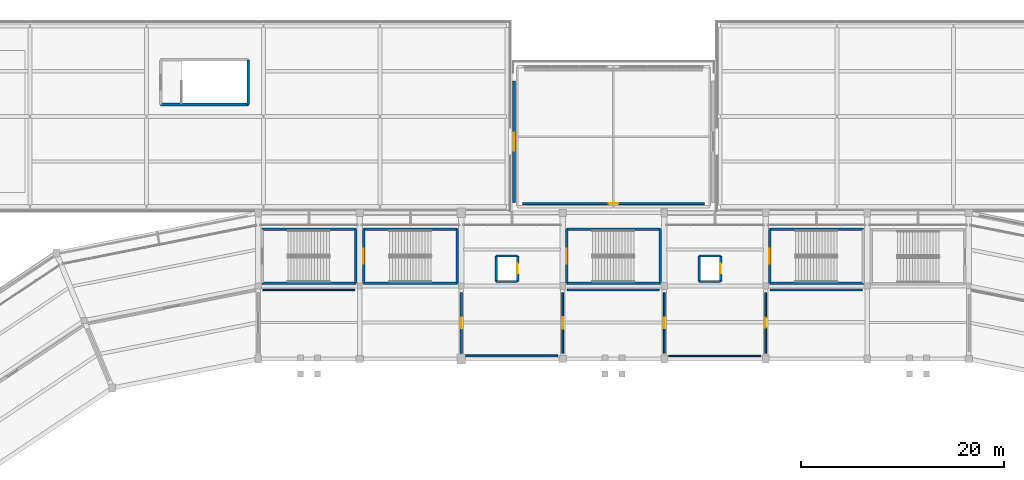
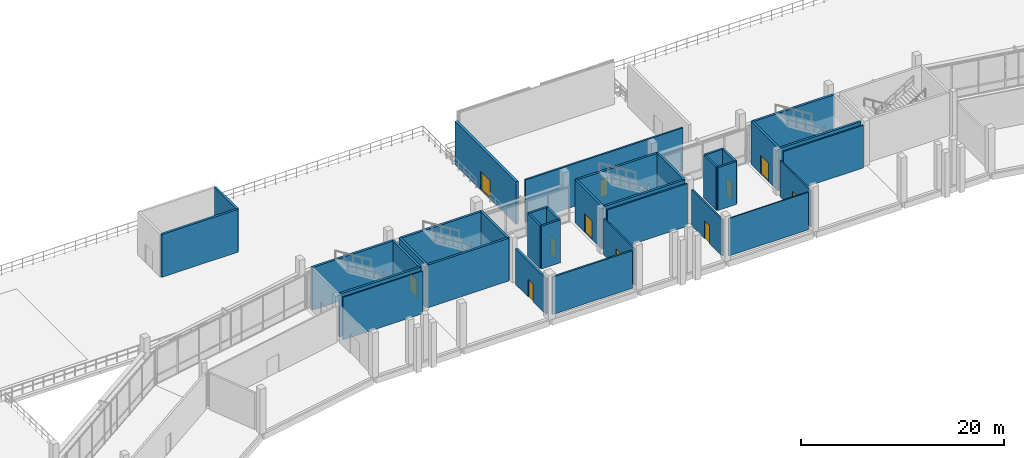
# One storey, part 79 of 111: 35 walls, 11 doors, 11 openings.
"""IFC4 building model written with IfcOpenShell, lengths in metres."""

from ifc_helpers import new_model, si_unit, direction, frame, frame_2d, origin, place, context, subcontext, project, spatial, rectangle, extrude, material, layer, layer_set, type_object, element, fill, save


model = new_model("IFC4")

# Units and contexts
model_context = context("Model", 3, precision=1e-05, world=origin(), true_north=direction((0.0, 1.0)))
body_context = subcontext(model_context, "Body", "Model", "MODEL_VIEW")
ifc_project = project(units=[si_unit("LENGTHUNIT", "METRE"), si_unit("AREAUNIT", "SQUARE_METRE"), si_unit("VOLUMEUNIT", "CUBIC_METRE"), si_unit("PLANEANGLEUNIT", "RADIAN"), si_unit("MASSUNIT", "GRAM", prefix="KILO")], contexts=[model_context])

# Site, building, storey
site_placement = place(None, origin())
site = spatial("IfcSite", under=ifc_project, at=site_placement, CompositionType="ELEMENT")
building_placement = place(site_placement, origin())
building = spatial("IfcBuilding", under=site, at=building_placement, Name="Candeia Ridge Stadium", CompositionType="ELEMENT")
storey_placement = place(building_placement, frame((0.0, 0.0, 16.199951171875)))
storey = spatial("IfcBuildingStorey", under=building, at=storey_placement, Name="L03", CompositionType="ELEMENT", Elevation=16.199951171875)

# Wall, opening, door
ifc_material_1 = material(Name="Gypsum Acoustic Twin-Stud Assembly", Category="gypsum")
ifc_layer_1 = layer(ifc_material_1, 0.159912109375, Name="Gypsum Acoustic Twin-Stud Assembly", Category="gypsum")
ifc_layer_set_1 = layer_set([ifc_layer_1], Name="Gypsum Acoustic Twin-Stud Assembly")
wall_type_1 = type_object("IfcWallType", Name="Club Dining Acoustic Partition 160", PredefinedType="PARTITIONING", material=ifc_layer_set_1)
wall_1_placement = place(storey_placement, frame((121.0, 133.14990234375, 0.0), z_axis=(0.0, 0.0, 1.0), x_axis=(0.0, 1.0, 0.0)))
wall_1 = element("IfcWall", 1, at=wall_1_placement, inside=storey, type_object=wall_type_1, Name="Interior partition PT-L03-0565", PredefinedType="PARTITIONING", context=body_context, shape_type="SweptSolid", body=[
    extrude(rectangle(XDim=6.0, YDim=0.159912109375, at=frame_2d((3.0, 0.0))), origin(), (0.0, 0.0, 1.0), 4.375),
])
opening_1_placement = place(wall_1_placement, frame((2.510009765625, 0.0, 0.0)))
opening_1 = element("IfcOpeningElement", 2, at=opening_1_placement, cuts=wall_1, Name="Opening ID12", PredefinedType="OPENING", context=body_context, shape_type="SweptSolid", body=[
    extrude(rectangle(XDim=0.97998046875, YDim=2.14990234375, at=frame_2d((0.489990234375, 1.074951171875))), frame((0.0, 0.08984375, 0.0), z_axis=(0.0, -1.0, 0.0), x_axis=(1.0, 0.0, 0.0)), (0.0, 0.0, 1.0), 0.179931640625),
])
ifc_material_2 = material(Name="Acoustic Timber Studio Leaf", Category="wood")
door_type_1 = type_object("IfcDoorType", Name="Commentary Booth Acoustic Door 980x2150", OperationType="NOTDEFINED", PredefinedType="DOOR", material=ifc_material_2)
door_1_placement = place(opening_1_placement, origin())
door_1 = element("IfcDoor", 3, at=door_1_placement, inside=storey, type_object=door_type_1, Name="Interior room door D-L03-0291", OperationType="SINGLE_SWING_LEFT", OverallHeight=2.14990234375, OverallWidth=0.97998046875, PredefinedType="DOOR", context=body_context, shape_type="SweptSolid", body=[
    extrude(rectangle(XDim=0.97998046875, YDim=2.14990234375, at=frame_2d((0.489990234375, 1.074951171875))), frame((0.0, 0.02490234375, 0.0), z_axis=(0.0, -1.0, 0.0), x_axis=(1.0, 0.0, 0.0)), (0.0, 0.0, 1.0), 0.050048828125),
])
fill(opening_1, door_1)

ifc_material_3 = material(Name="Concrete Masonry Blockwork C25/30", Category="masonry")
ifc_layer_2 = layer(ifc_material_3, 0.14990234375, Name="Concrete Masonry Blockwork C25/30", Category="masonry")
ifc_layer_set_2 = layer_set([ifc_layer_2], Name="Concrete Masonry Blockwork C25/30")
wall_type_2 = type_object("IfcWallType", Name="Concourse Kiosk Partition 150", PredefinedType="PARTITIONING", material=ifc_layer_set_2)
wall_2_placement = place(storey_placement, frame((101.0, 133.14990234375, 0.0), z_axis=(0.0, 0.0, 1.0), x_axis=(0.0, 1.0, 0.0)))
wall_2 = element("IfcWall", 4, at=wall_2_placement, inside=storey, type_object=wall_type_2, Name="Interior partition PT-L03-0569", PredefinedType="PARTITIONING", context=body_context, shape_type="SweptSolid", body=[
    extrude(rectangle(XDim=6.0, YDim=0.14990234375, at=frame_2d((3.0, 0.0))), origin(), (0.0, 0.0, 1.0), 4.385009765625),
])
opening_2_placement = place(wall_2_placement, frame((2.425048828125, 0.0, 0.0)))
opening_2 = element("IfcOpeningElement", 5, at=opening_2_placement, cuts=wall_2, Name="Opening ID02", PredefinedType="OPENING", context=body_context, shape_type="SweptSolid", body=[
    extrude(rectangle(XDim=1.14990234375, YDim=2.199951171875, at=frame_2d((0.574951171875, 1.10009765625))), frame((0.0, 0.0849609375, 0.0), z_axis=(0.0, -1.0, 0.0), x_axis=(1.0, 0.0, 0.0)), (0.0, 0.0, 1.0), 0.169921875),
])
door_type_2 = type_object("IfcDoorType", Name="Broadcast & Press Studio Door 1150x2200", OperationType="NOTDEFINED", PredefinedType="DOOR", material=ifc_material_2)
door_2_placement = place(opening_2_placement, frame((1.14990234375, 0.0, 0.0), z_axis=(0.0, 0.0, 1.0), x_axis=(-1.0, 0.0, 0.0)))
door_2 = element("IfcDoor", 6, at=door_2_placement, inside=storey, type_object=door_type_2, Name="Interior room door D-L03-0293", OperationType="SINGLE_SWING_LEFT", OverallHeight=2.199951171875, OverallWidth=1.14990234375, PredefinedType="DOOR", context=body_context, shape_type="SweptSolid", body=[
    extrude(rectangle(XDim=1.14990234375, YDim=2.199951171875, at=frame_2d((0.574951171875, 1.10009765625))), frame((0.0, 0.02490234375, 0.0), z_axis=(0.0, -1.0, 0.0), x_axis=(1.0, 0.0, 0.0)), (0.0, 0.0, 1.0), 0.050048828125),
])
fill(opening_2, door_2)

# Walls
ifc_material_4 = material(Name="Concrete C40/50", Category="concrete")
ifc_layer_3 = layer(ifc_material_4, 0.25, Name="Concrete C40/50", Category="concrete")
ifc_layer_set_3 = layer_set([ifc_layer_3], Name="Concrete C40/50")
wall_type_3 = type_object("IfcWallType", Name="Core Shear Wall Concrete 250", PredefinedType="SHEAR", material=ifc_layer_set_3)
wall_3_placement = place(storey_placement, frame((71.37548828125, 140.075439453125, 0.0), z_axis=(0.0, 0.0, 1.0), x_axis=(1.0, 0.0, 0.0)))
element("IfcWall", 7, at=wall_3_placement, inside=storey, type_object=wall_type_3, Name="Core C01 left shear wall L03", PredefinedType="SHEAR", context=body_context, shape_type="SweptSolid", body=[
    extrude(rectangle(XDim=9.2490234375, YDim=0.25, at=frame_2d((4.62451171875, 0.0))), origin(), (0.0, 0.0, 1.0), 5.14013671875),
])
wall_4_placement = place(storey_placement, frame((80.62451171875, 140.075439453125, 0.0), z_axis=(0.0, 0.0, 1.0), x_axis=(0.0, 1.0, 0.0)))
element("IfcWall", 8, at=wall_4_placement, inside=storey, type_object=wall_type_3, Name="Core C01 far shear wall L03", PredefinedType="SHEAR", context=body_context, shape_type="SweptSolid", body=[
    extrude(rectangle(XDim=5.299072265625, YDim=0.25, at=frame_2d((2.6494140625, 0.0))), origin(), (0.0, 0.0, 1.0), 5.14013671875),
])
for number, where, z_axis, x_axis, name in (
    (9, (80.62451171875, 145.37451171875, 0.0), (0.0, 0.0, 1.0), (-1.0, 0.0, 0.0), "Core C01 right shear wall L03"),
    (10, (81.37548828125, 140.075439453125, 0.0), (0.0, 0.0, 1.0), (1.0, 0.0, 0.0), "Core C09 left shear wall L03"),
):
    element("IfcWall", number, at=place(storey_placement, frame(where, z_axis=z_axis, x_axis=x_axis)), inside=storey, type_object=wall_type_3, Name=name, PredefinedType="SHEAR", context=body_context, shape_type="SweptSolid", body=[
        extrude(rectangle(XDim=9.2490234375, YDim=0.25, at=frame_2d((4.62451171875, 0.0))), origin(), (0.0, 0.0, 1.0), 5.14013671875),
    ])
wall_5_placement = place(storey_placement, frame((90.62451171875, 140.075439453125, 0.0), z_axis=(0.0, 0.0, 1.0), x_axis=(0.0, 1.0, 0.0)))
element("IfcWall", 11, at=wall_5_placement, inside=storey, type_object=wall_type_3, Name="Core C09 far shear wall L03", PredefinedType="SHEAR", context=body_context, shape_type="SweptSolid", body=[
    extrude(rectangle(XDim=5.299072265625, YDim=0.25, at=frame_2d((2.6494140625, 0.0))), origin(), (0.0, 0.0, 1.0), 5.14013671875),
])
wall_6_placement = place(storey_placement, frame((90.62451171875, 145.37451171875, 0.0), z_axis=(0.0, 0.0, 1.0), x_axis=(-1.0, 0.0, 0.0)))
element("IfcWall", 12, at=wall_6_placement, inside=storey, type_object=wall_type_3, Name="Core C09 right shear wall L03", PredefinedType="SHEAR", context=body_context, shape_type="SweptSolid", body=[
    extrude(rectangle(XDim=9.2490234375, YDim=0.25, at=frame_2d((4.62451171875, 0.0))), origin(), (0.0, 0.0, 1.0), 5.14013671875),
])

# Wall, opening, door
wall_7_placement = place(storey_placement, frame((81.37548828125, 145.37451171875, 0.0), z_axis=(0.0, 0.0, 1.0), x_axis=(0.0, -1.0, 0.0)))
wall_7 = element("IfcWall", 13, at=wall_7_placement, inside=storey, type_object=wall_type_3, Name="Core C09 near shear wall L03", PredefinedType="SHEAR", context=body_context, shape_type="SweptSolid", body=[
    extrude(rectangle(XDim=5.299072265625, YDim=0.25, at=frame_2d((2.6494140625, 0.0))), origin(), (0.0, 0.0, 1.0), 5.14013671875),
])
opening_3_placement = place(wall_7_placement, frame((1.899658203125, 0.0, 0.0)))
opening_3 = element("IfcOpeningElement", 14, at=opening_3_placement, cuts=wall_7, Name="Opening FD01", PredefinedType="OPENING", context=body_context, shape_type="SweptSolid", body=[
    extrude(rectangle(XDim=1.5, YDim=2.199951171875, at=frame_2d((0.75, 1.10009765625))), frame((0.0, 0.135009765625, 0.0), z_axis=(0.0, -1.0, 0.0), x_axis=(1.0, 0.0, 0.0)), (0.0, 0.0, 1.0), 0.27001953125),
])
ifc_material_5 = material(Name="Galvanized Fire-Rated Steel", Category="steel")
door_type_3 = type_object("IfcDoorType", Name="Exit Stair Core Fire Door 1500x2200", OperationType="NOTDEFINED", PredefinedType="DOOR", material=ifc_material_5)
door_3_placement = place(opening_3_placement, origin())
door_3 = element("IfcDoor", 15, at=door_3_placement, inside=storey, type_object=door_type_3, Name="Exit stair fire door SD-ST09-L03", OperationType="DOUBLE_DOOR_SINGLE_SWING", OverallHeight=2.199951171875, OverallWidth=1.5, PredefinedType="DOOR", context=body_context, shape_type="SweptSolid", body=[
    extrude(rectangle(XDim=1.5, YDim=2.199951171875, at=frame_2d((0.75, 1.10009765625))), frame((0.0, 0.02490234375, 0.0), z_axis=(0.0, -1.0, 0.0), x_axis=(1.0, 0.0, 0.0)), (0.0, 0.0, 1.0), 0.050048828125),
])
fill(opening_3, door_3)

# Walls
for number, where, z_axis, x_axis, name in (
    (16, (121.37548828125, 140.075439453125, 0.0), (0.0, 0.0, 1.0), (1.0, 0.0, 0.0), "Core C10 left shear wall L03"),
    (17, (130.62451171875, 145.37451171875, 0.0), (0.0, 0.0, 1.0), (-1.0, 0.0, 0.0), "Core C10 right shear wall L03"),
):
    element("IfcWall", number, at=place(storey_placement, frame(where, z_axis=z_axis, x_axis=x_axis)), inside=storey, type_object=wall_type_3, Name=name, PredefinedType="SHEAR", context=body_context, shape_type="SweptSolid", body=[
        extrude(rectangle(XDim=9.2490234375, YDim=0.25, at=frame_2d((4.62451171875, 0.0))), origin(), (0.0, 0.0, 1.0), 5.14013671875),
    ])

# Wall, opening, door
wall_8_placement = place(storey_placement, frame((121.37548828125, 145.37451171875, 0.0), z_axis=(0.0, 0.0, 1.0), x_axis=(0.0, -1.0, 0.0)))
wall_8 = element("IfcWall", 18, at=wall_8_placement, inside=storey, type_object=wall_type_3, Name="Core C10 near shear wall L03", PredefinedType="SHEAR", context=body_context, shape_type="SweptSolid", body=[
    extrude(rectangle(XDim=5.299072265625, YDim=0.25, at=frame_2d((2.6494140625, 0.0))), origin(), (0.0, 0.0, 1.0), 5.14013671875),
])
opening_4_placement = place(wall_8_placement, frame((1.899658203125, 0.0, 0.0)))
opening_4 = element("IfcOpeningElement", 19, at=opening_4_placement, cuts=wall_8, Name="Opening FD01", PredefinedType="OPENING", context=body_context, shape_type="SweptSolid", body=[
    extrude(rectangle(XDim=1.5, YDim=2.199951171875, at=frame_2d((0.75, 1.10009765625))), frame((0.0, 0.135009765625, 0.0), z_axis=(0.0, -1.0, 0.0), x_axis=(1.0, 0.0, 0.0)), (0.0, 0.0, 1.0), 0.27001953125),
])
door_4_placement = place(opening_4_placement, origin())
door_4 = element("IfcDoor", 20, at=door_4_placement, inside=storey, type_object=door_type_3, Name="Exit stair fire door SD-ST10-L03", OperationType="DOUBLE_DOOR_SINGLE_SWING", OverallHeight=2.199951171875, OverallWidth=1.5, PredefinedType="DOOR", context=body_context, shape_type="SweptSolid", body=[
    extrude(rectangle(XDim=1.5, YDim=2.199951171875, at=frame_2d((0.75, 1.10009765625))), frame((0.0, 0.02490234375, 0.0), z_axis=(0.0, -1.0, 0.0), x_axis=(1.0, 0.0, 0.0)), (0.0, 0.0, 1.0), 0.050048828125),
])
fill(opening_4, door_4)

# Walls
wall_9_placement = place(storey_placement, frame((61.37548828125, 157.67529296875, 0.0), z_axis=(0.0, 0.0, 1.0), x_axis=(1.0, 0.0, 0.0)))
element("IfcWall", 21, at=wall_9_placement, inside=storey, type_object=wall_type_3, Name="Core C15 left shear wall L03", PredefinedType="SHEAR", context=body_context, shape_type="SweptSolid", body=[
    extrude(rectangle(XDim=8.649169921875, YDim=0.25, at=frame_2d((4.32470703125, 0.0))), origin(), (0.0, 0.0, 1.0), 5.14013671875),
])
wall_10_placement = place(storey_placement, frame((70.024658203125, 157.67529296875, 0.0), z_axis=(0.0, 0.0, 1.0), x_axis=(0.0, 1.0, 0.0)))
element("IfcWall", 22, at=wall_10_placement, inside=storey, type_object=wall_type_3, Name="Core C15 far shear wall L03", PredefinedType="SHEAR", context=body_context, shape_type="SweptSolid", body=[
    extrude(rectangle(XDim=4.3994140625, YDim=0.25, at=frame_2d((2.19970703125, 0.0))), origin(), (0.0, 0.0, 1.0), 5.14013671875),
])
wall_11_placement = place(storey_placement, frame((101.37548828125, 140.075439453125, 0.0), z_axis=(0.0, 0.0, 1.0), x_axis=(1.0, 0.0, 0.0)))
element("IfcWall", 23, at=wall_11_placement, inside=storey, type_object=wall_type_3, Name="Core C17 left shear wall L03", PredefinedType="SHEAR", context=body_context, shape_type="SweptSolid", body=[
    extrude(rectangle(XDim=9.2490234375, YDim=0.25, at=frame_2d((4.62451171875, 0.0))), origin(), (0.0, 0.0, 1.0), 5.14013671875),
])
wall_12_placement = place(storey_placement, frame((110.62451171875, 140.075439453125, 0.0), z_axis=(0.0, 0.0, 1.0), x_axis=(0.0, 1.0, 0.0)))
element("IfcWall", 24, at=wall_12_placement, inside=storey, type_object=wall_type_3, Name="Core C17 far shear wall L03", PredefinedType="SHEAR", context=body_context, shape_type="SweptSolid", body=[
    extrude(rectangle(XDim=5.299072265625, YDim=0.25, at=frame_2d((2.6494140625, 0.0))), origin(), (0.0, 0.0, 1.0), 5.14013671875),
])
wall_13_placement = place(storey_placement, frame((110.62451171875, 145.37451171875, 0.0), z_axis=(0.0, 0.0, 1.0), x_axis=(-1.0, 0.0, 0.0)))
element("IfcWall", 25, at=wall_13_placement, inside=storey, type_object=wall_type_3, Name="Core C17 right shear wall L03", PredefinedType="SHEAR", context=body_context, shape_type="SweptSolid", body=[
    extrude(rectangle(XDim=9.2490234375, YDim=0.25, at=frame_2d((4.62451171875, 0.0))), origin(), (0.0, 0.0, 1.0), 5.14013671875),
])

# Wall, opening, door
wall_14_placement = place(storey_placement, frame((101.37548828125, 145.37451171875, 0.0), z_axis=(0.0, 0.0, 1.0), x_axis=(0.0, -1.0, 0.0)))
wall_14 = element("IfcWall", 26, at=wall_14_placement, inside=storey, type_object=wall_type_3, Name="Core C17 near shear wall L03", PredefinedType="SHEAR", context=body_context, shape_type="SweptSolid", body=[
    extrude(rectangle(XDim=5.299072265625, YDim=0.25, at=frame_2d((2.6494140625, 0.0))), origin(), (0.0, 0.0, 1.0), 5.14013671875),
])
opening_5_placement = place(wall_14_placement, frame((1.899658203125, 0.0, 0.0)))
opening_5 = element("IfcOpeningElement", 27, at=opening_5_placement, cuts=wall_14, Name="Opening FD01", PredefinedType="OPENING", context=body_context, shape_type="SweptSolid", body=[
    extrude(rectangle(XDim=1.5, YDim=2.199951171875, at=frame_2d((0.75, 1.10009765625))), frame((0.0, 0.135009765625, 0.0), z_axis=(0.0, -1.0, 0.0), x_axis=(1.0, 0.0, 0.0)), (0.0, 0.0, 1.0), 0.27001953125),
])
door_5_placement = place(opening_5_placement, origin())
door_5 = element("IfcDoor", 28, at=door_5_placement, inside=storey, type_object=door_type_3, Name="Exit stair fire door SD-ST17-L03", OperationType="DOUBLE_DOOR_SINGLE_SWING", OverallHeight=2.199951171875, OverallWidth=1.5, PredefinedType="DOOR", context=body_context, shape_type="SweptSolid", body=[
    extrude(rectangle(XDim=1.5, YDim=2.199951171875, at=frame_2d((0.75, 1.10009765625))), frame((0.0, 0.02490234375, 0.0), z_axis=(0.0, -1.0, 0.0), x_axis=(1.0, 0.0, 0.0)), (0.0, 0.0, 1.0), 0.050048828125),
])
fill(opening_5, door_5)

# Wall
ifc_layer_4 = layer(ifc_material_1, 0.179931640625, Name="Gypsum Acoustic Twin-Stud Assembly", Category="gypsum")
ifc_layer_set_4 = layer_set([ifc_layer_4], Name="Gypsum Acoustic Twin-Stud Assembly")
wall_type_4 = type_object("IfcWallType", Name="Corridor Fire Partition 180", PredefinedType="PARTITIONING", material=ifc_layer_set_4)
wall_15_placement = place(storey_placement, frame((101.449951171875, 139.39990234375, 0.0), z_axis=(0.0, 0.0, 1.0), x_axis=(1.0, 0.0, 0.0)))
element("IfcWall", 29, at=wall_15_placement, inside=storey, type_object=wall_type_4, Name="Demising partition PT-L03-0570", PredefinedType="PARTITIONING", context=body_context, shape_type="SweptSolid", body=[
    extrude(rectangle(XDim=9.06005859375, YDim=0.179931640625, at=frame_2d((4.530029296875, 0.0))), origin(), (0.0, 0.0, 1.0), 5.1201171875),
])

# Wall, opening, door
ifc_material_6 = material(Name="Moisture-Resistant Masonry & Tile", Category="masonry")
ifc_layer_5 = layer(ifc_material_6, 0.22998046875, Name="Moisture-Resistant Masonry & Tile", Category="masonry")
ifc_layer_set_5 = layer_set([ifc_layer_5], Name="Moisture-Resistant Masonry & Tile")
wall_type_5 = type_object("IfcWallType", Name="Dressing Suite Wet-Wall Chase 230", PredefinedType="PLUMBINGWALL", material=ifc_layer_set_5)
wall_16_placement = place(storey_placement, frame((91.0, 133.14990234375, 0.0), z_axis=(0.0, 0.0, 1.0), x_axis=(0.0, 1.0, 0.0)))
wall_16 = element("IfcWall", 30, at=wall_16_placement, inside=storey, type_object=wall_type_5, Name="Interior partition PT-L03-0571", PredefinedType="PLUMBINGWALL", context=body_context, shape_type="SweptSolid", body=[
    extrude(rectangle(XDim=6.0, YDim=0.22998046875, at=frame_2d((3.0, 0.0))), origin(), (0.0, 0.0, 1.0), 4.304931640625),
])
opening_6_placement = place(wall_16_placement, frame((2.5, 0.0, 0.0)))
opening_6 = element("IfcOpeningElement", 31, at=opening_6_placement, cuts=wall_16, Name="Opening ID06", PredefinedType="OPENING", context=body_context, shape_type="SweptSolid", body=[
    extrude(rectangle(XDim=1.0, YDim=2.10009765625, at=frame_2d((0.5, 1.050048828125))), frame((0.0, 0.125, 0.0), z_axis=(0.0, -1.0, 0.0), x_axis=(1.0, 0.0, 0.0)), (0.0, 0.0, 1.0), 0.25),
])
ifc_material_7 = material(Name="Moisture-Resistant Laminate", Category="wood")
door_type_4 = type_object("IfcDoorType", Name="Accessible Sanitary Door 1000x2100", OperationType="NOTDEFINED", PredefinedType="DOOR", material=ifc_material_7)
door_6_placement = place(opening_6_placement, frame((1.0, 0.0, 0.0), z_axis=(0.0, 0.0, 1.0), x_axis=(-1.0, 0.0, 0.0)))
door_6 = element("IfcDoor", 32, at=door_6_placement, inside=storey, type_object=door_type_4, Name="Interior room door D-L03-0294", OperationType="SINGLE_SWING_RIGHT", OverallHeight=2.10009765625, OverallWidth=1.0, PredefinedType="DOOR", context=body_context, shape_type="SweptSolid", body=[
    extrude(rectangle(XDim=1.0, YDim=2.10009765625, at=frame_2d((0.5, 1.050048828125))), frame((0.0, 0.02490234375, 0.0), z_axis=(0.0, -1.0, 0.0), x_axis=(1.0, 0.0, 0.0)), (0.0, 0.0, 1.0), 0.050048828125),
])
fill(opening_6, door_6)

ifc_material_8 = material(Name="Concrete C35/45", Category="concrete")
ifc_layer_6 = layer(ifc_material_8, 0.300048828125, Name="Concrete C35/45", Category="concrete")
ifc_layer_set_6 = layer_set([ifc_layer_6], Name="Concrete C35/45")
wall_type_6 = type_object("IfcWallType", Name="Exterior Pavilion Rainscreen Wall 300", PredefinedType="SOLIDWALL", material=ifc_layer_set_6)
wall_17_placement = place(storey_placement, frame((96.199951171875, 148.0, 0.0), z_axis=(0.0, 0.0, 1.0), x_axis=(0.0, 1.0, 0.0)))
wall_17 = element("IfcWall", 33, at=wall_17_placement, inside=storey, type_object=wall_type_6, Name="Terrace threshold wall EW-L03-0215", PredefinedType="SOLIDWALL", context=body_context, shape_type="SweptSolid", body=[
    extrude(rectangle(XDim=12.0, YDim=0.300048828125, at=frame_2d((6.0, 0.0))), origin(), (0.0, 0.0, 1.0), 5.1201171875),
])
opening_7_placement = place(wall_17_placement, frame((5.10009765625, 0.0, 0.0)))
opening_7 = element("IfcOpeningElement", 34, at=opening_7_placement, cuts=wall_17, Name="Opening ED05", PredefinedType="OPENING", context=body_context, shape_type="SweptSolid", body=[
    extrude(rectangle(XDim=1.800048828125, YDim=2.199951171875, at=frame_2d((0.89990234375, 1.10009765625))), frame((0.0, 0.159912109375, 0.0), z_axis=(0.0, -1.0, 0.0), x_axis=(1.0, 0.0, 0.0)), (0.0, 0.0, 1.0), 0.320068359375),
])
ifc_material_9 = material(Name="Aluminium Thermal-Break Glazed Door", Category="aluminium")
door_type_5 = type_object("IfcDoorType", Name="Terrace Garden Double Door 1800x2200", OperationType="NOTDEFINED", PredefinedType="DOOR", material=ifc_material_9)
door_7_placement = place(opening_7_placement, origin())
door_7 = element("IfcDoor", 35, at=door_7_placement, inside=storey, type_object=door_type_5, Name="North-west roof garden terrace door TD-054", OperationType="DOUBLE_DOOR_SINGLE_SWING", OverallHeight=2.199951171875, OverallWidth=1.800048828125, PredefinedType="DOOR", context=body_context, shape_type="SweptSolid", body=[
    extrude(rectangle(XDim=1.800048828125, YDim=2.199951171875, at=frame_2d((0.89990234375, 1.10009765625))), frame((0.0, 0.02490234375, 0.0), z_axis=(0.0, -1.0, 0.0), x_axis=(1.0, 0.0, 0.0)), (0.0, 0.0, 1.0), 0.050048828125),
])
fill(opening_7, door_7)

# Walls
ifc_material_10 = material(Name="Gypsum Metal-Stud Partition", Category="gypsum")
ifc_layer_7 = layer(ifc_material_10, 0.135009765625, Name="Gypsum Metal-Stud Partition", Category="gypsum")
ifc_layer_set_7 = layer_set([ifc_layer_7], Name="Gypsum Metal-Stud Partition")
wall_type_7 = type_object("IfcWallType", Name="General Room Partition 135", PredefinedType="PARTITIONING", material=ifc_layer_set_7)
wall_18_placement = place(storey_placement, frame((71.449951171875, 139.39990234375, 0.0), z_axis=(0.0, 0.0, 1.0), x_axis=(1.0, 0.0, 0.0)))
element("IfcWall", 36, at=wall_18_placement, inside=storey, type_object=wall_type_7, Name="Demising partition PT-L03-0574", PredefinedType="PARTITIONING", context=body_context, shape_type="SweptSolid", body=[
    extrude(rectangle(XDim=9.06005859375, YDim=0.135009765625, at=frame_2d((4.530029296875, 0.0))), origin(), (0.0, 0.0, 1.0), 5.1201171875),
])
ifc_layer_8 = layer(ifc_material_4, 0.219970703125, Name="Concrete C40/50", Category="concrete")
ifc_layer_set_8 = layer_set([ifc_layer_8], Name="Concrete C40/50")
wall_type_8 = type_object("IfcWallType", Name="Lift & Riser Shaft Wall 220", PredefinedType="SHEAR", material=ifc_layer_set_8)
wall_19_placement = place(storey_placement, frame((94.43994140625, 140.239990234375, 0.0), z_axis=(0.0, 0.0, 1.0), x_axis=(1.0, 0.0, 0.0)))
element("IfcWall", 37, at=wall_19_placement, inside=storey, type_object=wall_type_8, Name="Lift PL1 shaft wall L03 south", PredefinedType="SHEAR", context=body_context, shape_type="SweptSolid", body=[
    extrude(rectangle(XDim=2.1201171875, YDim=0.219970703125, at=frame_2d((1.06005859375, 0.0))), origin(), (0.0, 0.0, 1.0), 5.14013671875),
])

# Wall, opening, door
wall_20_placement = place(storey_placement, frame((96.56005859375, 140.239990234375, 0.0), z_axis=(0.0, 0.0, 1.0), x_axis=(0.0, 1.0, 0.0)))
wall_20 = element("IfcWall", 38, at=wall_20_placement, inside=storey, type_object=wall_type_8, Name="Lift PL1 shaft wall L03 east", PredefinedType="SHEAR", context=body_context, shape_type="SweptSolid", body=[
    extrude(rectangle(XDim=2.52001953125, YDim=0.219970703125, at=frame_2d((1.260009765625, 0.0))), origin(), (0.0, 0.0, 1.0), 5.14013671875),
])
opening_8_placement = place(wall_20_placement, frame((0.735107421875, 0.0, 0.0)))
opening_8 = element("IfcOpeningElement", 39, at=opening_8_placement, cuts=wall_20, Name="Opening LD02", PredefinedType="OPENING", context=body_context, shape_type="SweptSolid", body=[
    extrude(rectangle(XDim=1.050048828125, YDim=2.14990234375, at=frame_2d((0.52490234375, 1.074951171875))), frame((0.0, 0.119873046875, 0.0), z_axis=(0.0, -1.0, 0.0), x_axis=(1.0, 0.0, 0.0)), (0.0, 0.0, 1.0), 0.239990234375),
])
ifc_material_11 = material(Name="Brushed Stainless Steel", Category="steel")
door_type_6 = type_object("IfcDoorType", Name="Passenger Lift Landing Door 1050x2150", OperationType="NOTDEFINED", PredefinedType="DOOR", material=ifc_material_11)
door_8_placement = place(opening_8_placement, origin())
door_8 = element("IfcDoor", 40, at=door_8_placement, inside=storey, type_object=door_type_6, Name="Lift landing sliding door LD-PL1-L03", OperationType="DOUBLE_DOOR_SLIDING", OverallHeight=2.14990234375, OverallWidth=1.050048828125, PredefinedType="DOOR", context=body_context, shape_type="SweptSolid", body=[
    extrude(rectangle(XDim=1.050048828125, YDim=2.14990234375, at=frame_2d((0.52490234375, 1.074951171875))), frame((0.0, 0.02490234375, 0.0), z_axis=(0.0, -1.0, 0.0), x_axis=(1.0, 0.0, 0.0)), (0.0, 0.0, 1.0), 0.050048828125),
])
fill(opening_8, door_8)

# Walls
wall_21_placement = place(storey_placement, frame((96.56005859375, 142.760009765625, 0.0), z_axis=(0.0, 0.0, 1.0), x_axis=(-1.0, 0.0, 0.0)))
element("IfcWall", 41, at=wall_21_placement, inside=storey, type_object=wall_type_8, Name="Lift PL1 shaft wall L03 north", PredefinedType="SHEAR", context=body_context, shape_type="SweptSolid", body=[
    extrude(rectangle(XDim=2.1201171875, YDim=0.219970703125, at=frame_2d((1.06005859375, 0.0))), origin(), (0.0, 0.0, 1.0), 5.14013671875),
])
wall_22_placement = place(storey_placement, frame((94.43994140625, 142.760009765625, 0.0), z_axis=(0.0, 0.0, 1.0), x_axis=(0.0, -1.0, 0.0)))
element("IfcWall", 42, at=wall_22_placement, inside=storey, type_object=wall_type_8, Name="Lift PL1 shaft wall L03 west", PredefinedType="SHEAR", context=body_context, shape_type="SweptSolid", body=[
    extrude(rectangle(XDim=2.52001953125, YDim=0.219970703125, at=frame_2d((1.260009765625, 0.0))), origin(), (0.0, 0.0, 1.0), 5.14013671875),
])
wall_23_placement = place(storey_placement, frame((114.43994140625, 140.239990234375, 0.0), z_axis=(0.0, 0.0, 1.0), x_axis=(1.0, 0.0, 0.0)))
element("IfcWall", 43, at=wall_23_placement, inside=storey, type_object=wall_type_8, Name="Lift PL2 shaft wall L03 south", PredefinedType="SHEAR", context=body_context, shape_type="SweptSolid", body=[
    extrude(rectangle(XDim=2.1201171875, YDim=0.219970703125, at=frame_2d((1.06005859375, 0.0))), origin(), (0.0, 0.0, 1.0), 5.14013671875),
])

# Wall, opening, door
wall_24_placement = place(storey_placement, frame((116.56005859375, 140.239990234375, 0.0), z_axis=(0.0, 0.0, 1.0), x_axis=(0.0, 1.0, 0.0)))
wall_24 = element("IfcWall", 44, at=wall_24_placement, inside=storey, type_object=wall_type_8, Name="Lift PL2 shaft wall L03 east", PredefinedType="SHEAR", context=body_context, shape_type="SweptSolid", body=[
    extrude(rectangle(XDim=2.52001953125, YDim=0.219970703125, at=frame_2d((1.260009765625, 0.0))), origin(), (0.0, 0.0, 1.0), 5.14013671875),
])
opening_9_placement = place(wall_24_placement, frame((0.735107421875, 0.0, 0.0)))
opening_9 = element("IfcOpeningElement", 45, at=opening_9_placement, cuts=wall_24, Name="Opening LD02", PredefinedType="OPENING", context=body_context, shape_type="SweptSolid", body=[
    extrude(rectangle(XDim=1.050048828125, YDim=2.14990234375, at=frame_2d((0.52490234375, 1.074951171875))), frame((0.0, 0.119873046875, 0.0), z_axis=(0.0, -1.0, 0.0), x_axis=(1.0, 0.0, 0.0)), (0.0, 0.0, 1.0), 0.239990234375),
])
door_9_placement = place(opening_9_placement, origin())
door_9 = element("IfcDoor", 46, at=door_9_placement, inside=storey, type_object=door_type_6, Name="Lift landing sliding door LD-PL2-L03", OperationType="DOUBLE_DOOR_SLIDING", OverallHeight=2.14990234375, OverallWidth=1.050048828125, PredefinedType="DOOR", context=body_context, shape_type="SweptSolid", body=[
    extrude(rectangle(XDim=1.050048828125, YDim=2.14990234375, at=frame_2d((0.52490234375, 1.074951171875))), frame((0.0, 0.02490234375, 0.0), z_axis=(0.0, -1.0, 0.0), x_axis=(1.0, 0.0, 0.0)), (0.0, 0.0, 1.0), 0.050048828125),
])
fill(opening_9, door_9)

# Walls
wall_25_placement = place(storey_placement, frame((116.56005859375, 142.760009765625, 0.0), z_axis=(0.0, 0.0, 1.0), x_axis=(-1.0, 0.0, 0.0)))
element("IfcWall", 47, at=wall_25_placement, inside=storey, type_object=wall_type_8, Name="Lift PL2 shaft wall L03 north", PredefinedType="SHEAR", context=body_context, shape_type="SweptSolid", body=[
    extrude(rectangle(XDim=2.1201171875, YDim=0.219970703125, at=frame_2d((1.06005859375, 0.0))), origin(), (0.0, 0.0, 1.0), 5.14013671875),
])
wall_26_placement = place(storey_placement, frame((114.43994140625, 142.760009765625, 0.0), z_axis=(0.0, 0.0, 1.0), x_axis=(0.0, -1.0, 0.0)))
element("IfcWall", 48, at=wall_26_placement, inside=storey, type_object=wall_type_8, Name="Lift PL2 shaft wall L03 west", PredefinedType="SHEAR", context=body_context, shape_type="SweptSolid", body=[
    extrude(rectangle(XDim=2.52001953125, YDim=0.219970703125, at=frame_2d((1.260009765625, 0.0))), origin(), (0.0, 0.0, 1.0), 5.14013671875),
])
ifc_material_12 = material(Name="Gypsum Acoustic Triple-Board Wall", Category="gypsum")
ifc_layer_9 = layer(ifc_material_12, 0.18994140625, Name="Gypsum Acoustic Triple-Board Wall", Category="gypsum")
ifc_layer_set_9 = layer_set([ifc_layer_9], Name="Gypsum Acoustic Triple-Board Wall")
wall_type_9 = type_object("IfcWallType", Name="Media & Commentary Studio Wall 190", PredefinedType="PARTITIONING", material=ifc_layer_set_9)
wall_27_placement = place(storey_placement, frame((100.510009765625, 132.89990234375, 0.0), z_axis=(0.0, 0.0, 1.0), x_axis=(-1.0, 0.0, 0.0)))
element("IfcWall", 49, at=wall_27_placement, inside=storey, type_object=wall_type_9, Name="Demising partition PT-L03-0572", PredefinedType="PARTITIONING", context=body_context, shape_type="SweptSolid", body=[
    extrude(rectangle(XDim=9.06005859375, YDim=0.18994140625, at=frame_2d((4.530029296875, 0.0))), origin(), (0.0, 0.0, 1.0), 4.505126953125),
])

# Wall, opening, door
wall_28_placement = place(storey_placement, frame((114.949951171875, 147.89990234375, 0.0), z_axis=(0.0, 0.0, 1.0), x_axis=(-1.0, 0.0, 0.0)))
wall_28 = element("IfcWall", 50, at=wall_28_placement, inside=storey, type_object=wall_type_9, Name="Interior partition PT-L03-0621", PredefinedType="PARTITIONING", context=body_context, shape_type="SweptSolid", body=[
    extrude(rectangle(XDim=17.89990234375, YDim=0.18994140625, at=frame_2d((8.949951171875, 0.0))), origin(), (0.0, 0.0, 1.0), 5.1201171875),
])
opening_10_placement = place(wall_28_placement, frame((8.5, 0.0, 0.0)))
opening_10 = element("IfcOpeningElement", 51, at=opening_10_placement, cuts=wall_28, Name="Opening ID07", PredefinedType="OPENING", context=body_context, shape_type="SweptSolid", body=[
    extrude(rectangle(XDim=0.89990234375, YDim=2.10009765625, at=frame_2d((0.449951171875, 1.050048828125))), frame((0.0, 0.10498046875, 0.0), z_axis=(0.0, -1.0, 0.0), x_axis=(1.0, 0.0, 0.0)), (0.0, 0.0, 1.0), 0.2099609375),
])
door_type_7 = type_object("IfcDoorType", Name="Sanitary Lobby Single Door 900x2100", OperationType="NOTDEFINED", PredefinedType="DOOR", material=ifc_material_7)
door_10_placement = place(opening_10_placement, frame((0.89990234375, 0.0, 0.0), z_axis=(0.0, 0.0, 1.0), x_axis=(-1.0, 0.0, 0.0)))
door_10 = element("IfcDoor", 52, at=door_10_placement, inside=storey, type_object=door_type_7, Name="Interior room door D-L03-0319", OperationType="SINGLE_SWING_LEFT", OverallHeight=2.10009765625, OverallWidth=0.89990234375, PredefinedType="DOOR", context=body_context, shape_type="SweptSolid", body=[
    extrude(rectangle(XDim=0.89990234375, YDim=2.10009765625, at=frame_2d((0.449951171875, 1.050048828125))), frame((0.0, 0.02490234375, 0.0), z_axis=(0.0, -1.0, 0.0), x_axis=(1.0, 0.0, 0.0)), (0.0, 0.0, 1.0), 0.050048828125),
])
fill(opening_10, door_10)

ifc_layer_10 = layer(ifc_material_12, 0.18505859375, Name="Gypsum Acoustic Triple-Board Wall", Category="gypsum")
ifc_layer_set_10 = layer_set([ifc_layer_10], Name="Gypsum Acoustic Triple-Board Wall")
wall_type_10 = type_object("IfcWallType", Name="Media Booth Studio Divider 185", PredefinedType="PARTITIONING", material=ifc_layer_set_10)
wall_29_placement = place(storey_placement, frame((111.0, 133.14990234375, 0.0), z_axis=(0.0, 0.0, 1.0), x_axis=(0.0, 1.0, 0.0)))
wall_29 = element("IfcWall", 53, at=wall_29_placement, inside=storey, type_object=wall_type_10, Name="Interior partition PT-L03-0567", PredefinedType="PARTITIONING", context=body_context, shape_type="SweptSolid", body=[
    extrude(rectangle(XDim=6.0, YDim=0.18505859375, at=frame_2d((3.0, 0.0))), origin(), (0.0, 0.0, 1.0), 4.364990234375),
])
opening_11_placement = place(wall_29_placement, frame((2.489990234375, 0.0, 0.0)))
opening_11 = element("IfcOpeningElement", 54, at=opening_11_placement, cuts=wall_29, Name="Opening ID16", PredefinedType="OPENING", context=body_context, shape_type="SweptSolid", body=[
    extrude(rectangle(XDim=1.02001953125, YDim=2.14990234375, at=frame_2d((0.510009765625, 1.074951171875))), frame((0.0, 0.1025390625, 0.0), z_axis=(0.0, -1.0, 0.0), x_axis=(1.0, 0.0, 0.0)), (0.0, 0.0, 1.0), 0.205078125),
])
ifc_material_13 = material(Name="Solid Core Cedar Veneer", Category="wood")
door_type_8 = type_object("IfcDoorType", Name="Community Classroom Door 1020x2150", OperationType="NOTDEFINED", PredefinedType="DOOR", material=ifc_material_13)
door_11_placement = place(opening_11_placement, origin())
door_11 = element("IfcDoor", 55, at=door_11_placement, inside=storey, type_object=door_type_8, Name="Interior room door D-L03-0292", OperationType="SINGLE_SWING_RIGHT", OverallHeight=2.14990234375, OverallWidth=1.02001953125, PredefinedType="DOOR", context=body_context, shape_type="SweptSolid", body=[
    extrude(rectangle(XDim=1.02001953125, YDim=2.14990234375, at=frame_2d((0.510009765625, 1.074951171875))), frame((0.0, 0.02490234375, 0.0), z_axis=(0.0, -1.0, 0.0), x_axis=(1.0, 0.0, 0.0)), (0.0, 0.0, 1.0), 0.050048828125),
])
fill(opening_11, door_11)

# Walls
ifc_layer_11 = layer(ifc_material_1, 0.169921875, Name="Gypsum Acoustic Twin-Stud Assembly", Category="gypsum")
ifc_layer_set_11 = layer_set([ifc_layer_11], Name="Gypsum Acoustic Twin-Stud Assembly")
wall_type_11 = type_object("IfcWallType", Name="Skybox Demising Acoustic Wall 170", PredefinedType="PARTITIONING", material=ifc_layer_set_11)
wall_30_placement = place(storey_placement, frame((121.449951171875, 139.39990234375, 0.0), z_axis=(0.0, 0.0, 1.0), x_axis=(1.0, 0.0, 0.0)))
element("IfcWall", 56, at=wall_30_placement, inside=storey, type_object=wall_type_11, Name="Demising partition PT-L03-0566", PredefinedType="PARTITIONING", context=body_context, shape_type="SweptSolid", body=[
    extrude(rectangle(XDim=9.06005859375, YDim=0.169921875, at=frame_2d((4.530029296875, 0.0))), origin(), (0.0, 0.0, 1.0), 5.1201171875),
])
ifc_layer_12 = layer(ifc_material_10, 0.1298828125, Name="Gypsum Metal-Stud Partition", Category="gypsum")
ifc_layer_set_12 = layer_set([ifc_layer_12], Name="Gypsum Metal-Stud Partition")
wall_type_12 = type_object("IfcWallType", Name="Ticketing Back-Office Partition 130", PredefinedType="PARTITIONING", material=ifc_layer_set_12)
wall_31_placement = place(storey_placement, frame((120.510009765625, 132.89990234375, 0.0), z_axis=(0.0, 0.0, 1.0), x_axis=(-1.0, 0.0, 0.0)))
element("IfcWall", 57, at=wall_31_placement, inside=storey, type_object=wall_type_12, Name="Demising partition PT-L03-0568", PredefinedType="PARTITIONING", context=body_context, shape_type="SweptSolid", body=[
    extrude(rectangle(XDim=9.06005859375, YDim=0.1298828125, at=frame_2d((4.530029296875, 0.0))), origin(), (0.0, 0.0, 1.0), 4.505126953125),
])

save(model, "model.ifc")
